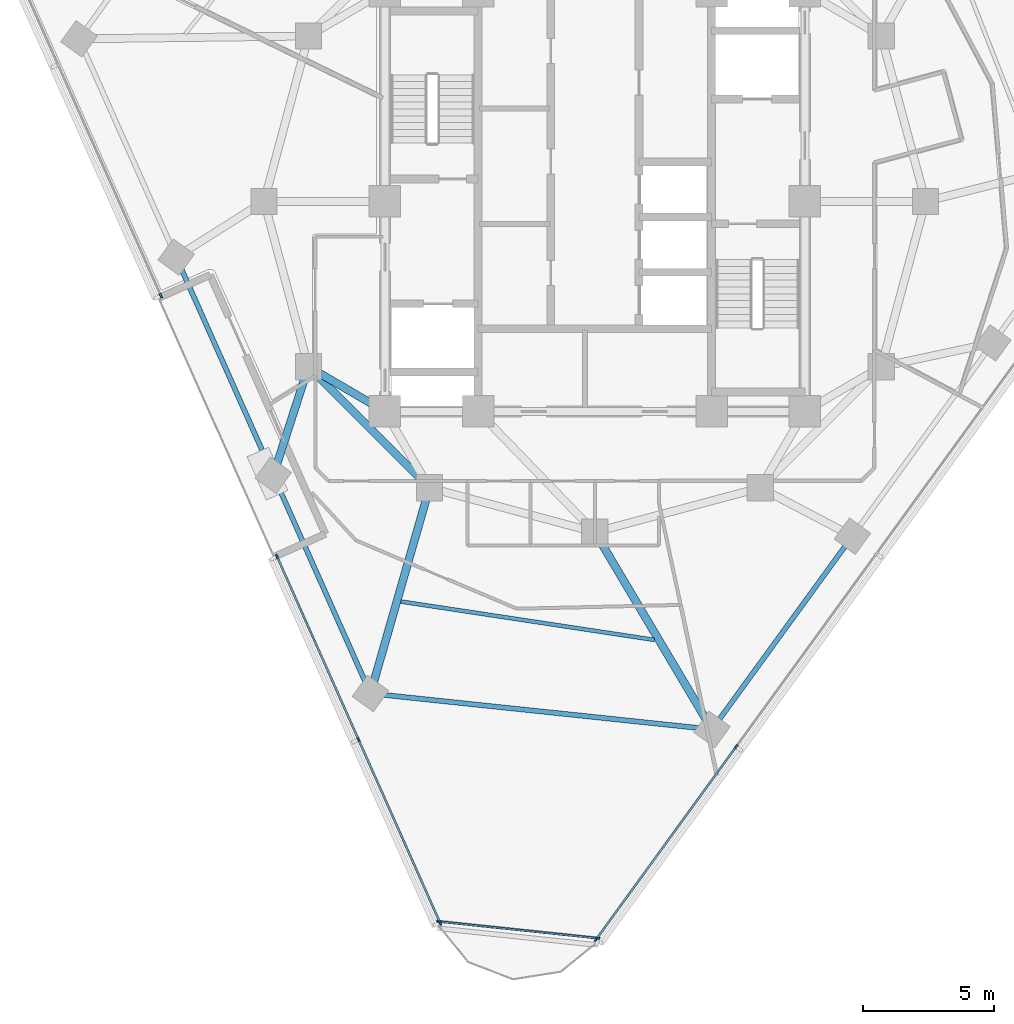
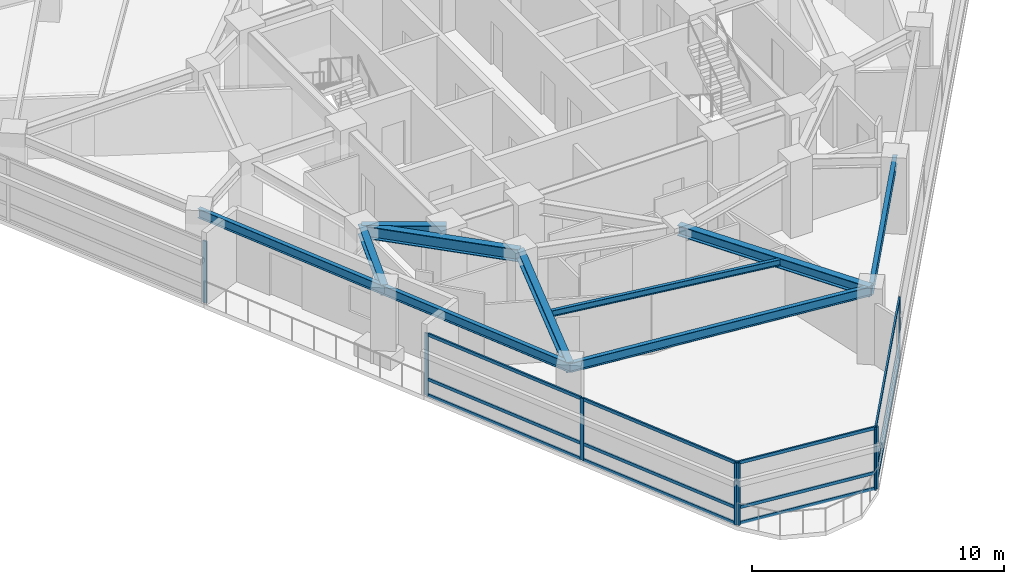
# One storey, part 2 of 14: 20 members, 10 beams, 4 elements without a shape of their own.
"""IFC4 building model written with IfcOpenShell, lengths in metres."""

from ifc_helpers import new_model, si_unit, direction, frame, origin, origin_2d, place, context, subcontext, project, spatial, rectangle, i_section, extrude, material, layer, layer_set, material_profile, profile_set, type_object, element, aggregate, save


model = new_model("IFC4")

# Units and contexts
model_context = context("Model", 3, precision=1e-05, world=origin(), true_north=direction((0.0, 1.0)))
body_context = subcontext(model_context, "Body", "Model", "MODEL_VIEW")
ifc_project = project(units=[si_unit("LENGTHUNIT", "METRE"), si_unit("AREAUNIT", "SQUARE_METRE"), si_unit("VOLUMEUNIT", "CUBIC_METRE"), si_unit("PLANEANGLEUNIT", "RADIAN"), si_unit("MASSUNIT", "GRAM", prefix="KILO")], contexts=[model_context])

# Site, building, storey
site_placement = place(None, origin())
site = spatial("IfcSite", under=ifc_project, at=site_placement, CompositionType="ELEMENT")
building_placement = place(site_placement, origin())
building = spatial("IfcBuilding", under=site, at=building_placement, Name="Terralouvre Media Tower", CompositionType="ELEMENT")
storey_placement = place(building_placement, frame((0.0, 0.0, 226.300048828125)))
storey = spatial("IfcBuildingStorey", under=building, at=storey_placement, Name="L58", CompositionType="ELEMENT", Elevation=226.300048828125)

# Beam
ifc_material_1 = material(Name="Structural steel S355J2", Category="steel")
ifc_material_profile_1 = material_profile(ifc_material_1, i_section(OverallWidth=0.14990234375, OverallDepth=0.300048828125, WebThickness=0.007080078125, FlangeThickness=0.0107421875, at=origin_2d()), Name="IPE 300")
ifc_profile_set_1 = profile_set([ifc_material_profile_1], Name="Structural steel S355J2")
beam_type_1 = type_object("IfcBeamType", Name="Composite Floor Joist J-IPE300 (IPE 300)", PredefinedType="JOIST", material=ifc_profile_set_1)
beam_1_placement = place(storey_placement, frame((-7.38818359375, -15.244140625, 3.349853515625), z_axis=(0.988745338641, -0.149608339726, 0.0), x_axis=(0.149608339726, 0.988745338641, 0.0)))
element("IfcBeam", 1, at=beam_1_placement, inside=storey, type_object=beam_type_1, Name="L58 Framing Beam JT-L58-01", PredefinedType="JOIST", context=body_context, shape_type="SweptSolid", body=[
    extrude(i_section(OverallWidth=0.14990234375, OverallDepth=0.300048828125, WebThickness=0.007080078125, FlangeThickness=0.0107421875, at=origin_2d()), origin(), (0.0, 0.0, 1.0), 9.763427734375),
])

# Curtain wall, members
ifc_material_2 = material(Name="Low-iron laminated double glazing with solar-control coating", Category="glass")
ifc_layer_1 = layer(ifc_material_2, 0.1650390625, Name="Upper Executive Tower Curtain Wall CW-05")
ifc_layer_set_1 = layer_set([ifc_layer_1], Name="Low-iron laminated double glazing with solar-control coating")
curtain_wall_type_1 = type_object("IfcCurtainWallType", Name="Upper Executive Tower Curtain Wall CW-05", PredefinedType="NOTDEFINED", material=ifc_layer_set_1)
curtain_wall_1_placement = place(storey_placement, origin())
curtain_wall_1 = element("IfcCurtainWall", 2, at=curtain_wall_1_placement, inside=storey, type_object=curtain_wall_type_1, Name="L58 Facade Curtain Wall F0", PredefinedType="NOTDEFINED")
ifc_material_3 = material(Name="Anodised extruded aluminium 6063-T6", Category="aluminium")
ifc_material_profile_2 = material_profile(ifc_material_3, rectangle(XDim=0.074951171875, YDim=0.14990234375, at=origin_2d()), Name="ALU 75x150")
ifc_profile_set_2 = profile_set([ifc_material_profile_2], Name="Anodised extruded aluminium 6063-T6")
member_type_1 = type_object("IfcMemberType", Name="Curtain-Wall Horizontal Transom TR-150", PredefinedType="USERDEFINED", material=ifc_profile_set_2)
member_1_placement = place(storey_placement, frame((0.072998046875, -28.0810546875, 0.037353515625), z_axis=(0.587774298355, 0.809024952763, 0.0), x_axis=(-0.809024952763, 0.587774298355, 0.0)))
member_1 = element("IfcMember", 3, at=member_1_placement, type_object=member_type_1, Name="CW-05 transom 1.1", ObjectType="TRANSOM", PredefinedType="USERDEFINED", context=body_context, shape_type="SweptSolid", body=[
    extrude(rectangle(XDim=0.074951171875, YDim=0.14990234375, at=origin_2d()), origin(), (0.0, 0.0, 1.0), 8.987548828125),
])
member_2_placement = place(storey_placement, frame((0.072998046875, -28.0810546875, 0.800048828125), z_axis=(0.587774298355, 0.809024952763, 0.0), x_axis=(-0.809024952763, 0.587774298355, 0.0)))
member_2 = element("IfcMember", 4, at=member_2_placement, type_object=member_type_1, Name="CW-05 transom 1.2", ObjectType="TRANSOM", PredefinedType="USERDEFINED", context=body_context, shape_type="SweptSolid", body=[
    extrude(rectangle(XDim=0.074951171875, YDim=0.14990234375, at=origin_2d()), origin(), (0.0, 0.0, 1.0), 8.987548828125),
])
member_3_placement = place(storey_placement, frame((0.072998046875, -28.0810546875, 2.96240234375), z_axis=(0.587774298355, 0.809024952763, 0.0), x_axis=(-0.809024952763, 0.587774298355, 0.0)))
member_3 = element("IfcMember", 5, at=member_3_placement, type_object=member_type_1, Name="CW-05 transom 1.3", ObjectType="TRANSOM", PredefinedType="USERDEFINED", context=body_context, shape_type="SweptSolid", body=[
    extrude(rectangle(XDim=0.074951171875, YDim=0.14990234375, at=origin_2d()), origin(), (0.0, 0.0, 1.0), 8.987548828125),
])

curtain_wall_2_placement = place(storey_placement, origin())
curtain_wall_2 = element("IfcCurtainWall", 6, at=curtain_wall_2_placement, inside=storey, type_object=curtain_wall_type_1, Name="L58 Right Flank Curtain Wall F2", PredefinedType="NOTDEFINED")
member_4_placement = place(storey_placement, frame((-12.09228515625, -13.566162109375, 0.037353515625), z_axis=(0.40673445167, -0.913546433316, 0.0), x_axis=(0.913546433316, 0.40673445167, 0.0)))
member_4 = element("IfcMember", 7, at=member_4_placement, type_object=member_type_1, Name="CW-05 transom 1.1", ObjectType="TRANSOM", PredefinedType="USERDEFINED", context=body_context, shape_type="SweptSolid", body=[
    extrude(rectangle(XDim=0.074951171875, YDim=0.14990234375, at=origin_2d()), origin(), (0.0, 0.0, 1.0), 7.5625),
])
member_5_placement = place(storey_placement, frame((-12.09228515625, -13.566162109375, 0.800048828125), z_axis=(0.40673445167, -0.913546433316, 0.0), x_axis=(0.913546433316, 0.40673445167, 0.0)))
member_5 = element("IfcMember", 8, at=member_5_placement, type_object=member_type_1, Name="CW-05 transom 1.2", ObjectType="TRANSOM", PredefinedType="USERDEFINED", context=body_context, shape_type="SweptSolid", body=[
    extrude(rectangle(XDim=0.074951171875, YDim=0.14990234375, at=origin_2d()), origin(), (0.0, 0.0, 1.0), 7.5625),
])
member_6_placement = place(storey_placement, frame((-12.09228515625, -13.566162109375, 2.96240234375), z_axis=(0.40673445167, -0.913546433316, 0.0), x_axis=(0.913546433316, 0.40673445167, 0.0)))
member_6 = element("IfcMember", 9, at=member_6_placement, type_object=member_type_1, Name="CW-05 transom 1.3", ObjectType="TRANSOM", PredefinedType="USERDEFINED", context=body_context, shape_type="SweptSolid", body=[
    extrude(rectangle(XDim=0.074951171875, YDim=0.14990234375, at=origin_2d()), origin(), (0.0, 0.0, 1.0), 7.5625),
])
member_7_placement = place(storey_placement, frame((-8.98583984375, -20.54345703125, 0.037353515625), z_axis=(0.40673445167, -0.913546433316, 0.0), x_axis=(0.913546433316, 0.40673445167, 0.0)))
member_7 = element("IfcMember", 10, at=member_7_placement, type_object=member_type_1, Name="CW-05 transom 2.1", ObjectType="TRANSOM", PredefinedType="USERDEFINED", context=body_context, shape_type="SweptSolid", body=[
    extrude(rectangle(XDim=0.074951171875, YDim=0.14990234375, at=origin_2d()), origin(), (0.0, 0.0, 1.0), 7.5625),
])
member_8_placement = place(storey_placement, frame((-8.98583984375, -20.54345703125, 0.800048828125), z_axis=(0.40673445167, -0.913546433316, 0.0), x_axis=(0.913546433316, 0.40673445167, 0.0)))
member_8 = element("IfcMember", 11, at=member_8_placement, type_object=member_type_1, Name="CW-05 transom 2.2", ObjectType="TRANSOM", PredefinedType="USERDEFINED", context=body_context, shape_type="SweptSolid", body=[
    extrude(rectangle(XDim=0.074951171875, YDim=0.14990234375, at=origin_2d()), origin(), (0.0, 0.0, 1.0), 7.5625),
])
member_9_placement = place(storey_placement, frame((-8.98583984375, -20.54345703125, 2.96240234375), z_axis=(0.40673445167, -0.913546433316, 0.0), x_axis=(0.913546433316, 0.40673445167, 0.0)))
member_9 = element("IfcMember", 12, at=member_9_placement, type_object=member_type_1, Name="CW-05 transom 2.3", ObjectType="TRANSOM", PredefinedType="USERDEFINED", context=body_context, shape_type="SweptSolid", body=[
    extrude(rectangle(XDim=0.074951171875, YDim=0.14990234375, at=origin_2d()), origin(), (0.0, 0.0, 1.0), 7.5625),
])

ifc_material_4 = material(Name="Low-iron laminated double glazing with solar-control coating", Category="glass")
ifc_layer_2 = layer(ifc_material_4, 0.1650390625, Name="Rounded Wind-Corner Curved Glazing CW-04")
ifc_layer_set_2 = layer_set([ifc_layer_2], Name="Low-iron laminated double glazing with solar-control coating")
curtain_wall_type_2 = type_object("IfcCurtainWallType", Name="Rounded Wind-Corner Curved Glazing CW-04", PredefinedType="NOTDEFINED", material=ifc_layer_set_2)
curtain_wall_3_placement = place(storey_placement, origin())
curtain_wall_3 = element("IfcCurtainWall", 13, at=curtain_wall_3_placement, inside=storey, type_object=curtain_wall_type_2, Name="L58 Rounded Wind-Corner Curtain Wall C0", PredefinedType="NOTDEFINED")
member_10_placement = place(storey_placement, frame((-5.899658203125, -27.43798828125, 0.037353515625), z_axis=(0.994519048003, -0.104555550594, 0.0), x_axis=(0.104555550594, 0.994519048003, 0.0)))
member_10 = element("IfcMember", 14, at=member_10_placement, type_object=member_type_1, Name="CW-04 transom 1.1", ObjectType="TRANSOM", PredefinedType="USERDEFINED", context=body_context, shape_type="SweptSolid", body=[
    extrude(rectangle(XDim=0.074951171875, YDim=0.14990234375, at=origin_2d()), origin(), (0.0, 0.0, 1.0), 5.998779296875),
])
member_11_placement = place(storey_placement, frame((-5.899658203125, -27.43798828125, 0.800048828125), z_axis=(0.994519048003, -0.104555550594, 0.0), x_axis=(0.104555550594, 0.994519048003, 0.0)))
member_11 = element("IfcMember", 15, at=member_11_placement, type_object=member_type_1, Name="CW-04 transom 1.2", ObjectType="TRANSOM", PredefinedType="USERDEFINED", context=body_context, shape_type="SweptSolid", body=[
    extrude(rectangle(XDim=0.074951171875, YDim=0.14990234375, at=origin_2d()), origin(), (0.0, 0.0, 1.0), 5.998779296875),
])
member_12_placement = place(storey_placement, frame((-5.899658203125, -27.43798828125, 2.96240234375), z_axis=(0.994519048003, -0.104555550594, 0.0), x_axis=(0.104555550594, 0.994519048003, 0.0)))
member_12 = element("IfcMember", 16, at=member_12_placement, type_object=member_type_1, Name="CW-04 transom 1.3", ObjectType="TRANSOM", PredefinedType="USERDEFINED", context=body_context, shape_type="SweptSolid", body=[
    extrude(rectangle(XDim=0.074951171875, YDim=0.14990234375, at=origin_2d()), origin(), (0.0, 0.0, 1.0), 5.998779296875),
])

# Member
ifc_material_5 = material(Name="Anodised extruded aluminium 6063-T6", Category="aluminium")
ifc_material_profile_3 = material_profile(ifc_material_5, rectangle(XDim=0.074951171875, YDim=0.179931640625, at=origin_2d()), Name="ALU 75x180")
ifc_profile_set_3 = profile_set([ifc_material_profile_3], Name="Anodised extruded aluminium 6063-T6")
member_type_2 = type_object("IfcMemberType", Name="Curtain-Wall Vertical Mullion ML-180", PredefinedType="MULLION", material=ifc_profile_set_3)
member_13_placement = place(storey_placement, frame((0.051025390625, -28.111328125, 0.0), z_axis=(0.0, 0.0, 1.0), x_axis=(-0.809016959074, 0.587785300879, 0.0)))
member_13 = element("IfcMember", 17, at=member_13_placement, type_object=member_type_2, Name="CW-05 mullion 1", PredefinedType="MULLION", context=body_context, shape_type="SweptSolid", body=[
    extrude(rectangle(XDim=0.074951171875, YDim=0.179931640625, at=origin_2d()), origin(), (0.0, 0.0, 1.0), 3.0),
])

member_14_placement = place(storey_placement, frame((5.3779296875, -20.779541015625, 0.0), z_axis=(0.0, 0.0, 1.0), x_axis=(-0.809016959074, 0.587785300879, 0.0)))
member_14 = element("IfcMember", 18, at=member_14_placement, type_object=member_type_2, Name="CW-05 mullion 2", PredefinedType="MULLION", context=body_context, shape_type="SweptSolid", body=[
    extrude(rectangle(XDim=0.074951171875, YDim=0.179931640625, at=origin_2d()), origin(), (0.0, 0.0, 1.0), 3.0),
])

aggregate(curtain_wall_1, [member_13, member_14, member_1, member_2, member_3])

# Curtain wall, member
curtain_wall_4_placement = place(storey_placement, origin())
curtain_wall_4 = element("IfcCurtainWall", 19, at=curtain_wall_4_placement, inside=storey, type_object=curtain_wall_type_1, Name="L58 Left Flank Curtain Wall F2", PredefinedType="NOTDEFINED")
member_15_placement = place(storey_placement, frame((-16.53076171875, -3.59716796875, 0.0), z_axis=(0.0, 0.0, 1.0), x_axis=(0.913545303888, 0.406736988415, 0.0)))
member_15 = element("IfcMember", 20, at=member_15_placement, type_object=member_type_2, Name="CW-05 mullion 3", PredefinedType="MULLION", context=body_context, shape_type="SweptSolid", body=[
    extrude(rectangle(XDim=0.074951171875, YDim=0.179931640625, at=origin_2d()), origin(), (0.0, 0.0, 1.0), 3.0),
])
aggregate(curtain_wall_4, [member_15])

# Member
member_16_placement = place(storey_placement, frame((-12.107421875, -13.531982421875, 0.0), z_axis=(0.0, 0.0, 1.0), x_axis=(0.913545824137, 0.406735819915, 0.0)))
member_16 = element("IfcMember", 21, at=member_16_placement, type_object=member_type_2, Name="CW-05 mullion 1", PredefinedType="MULLION", context=body_context, shape_type="SweptSolid", body=[
    extrude(rectangle(XDim=0.074951171875, YDim=0.179931640625, at=origin_2d()), origin(), (0.0, 0.0, 1.0), 3.0),
])

member_17_placement = place(storey_placement, frame((-9.0009765625, -20.50927734375, 0.0), z_axis=(0.0, 0.0, 1.0), x_axis=(0.913545824137, 0.406735819915, 0.0)))
member_17 = element("IfcMember", 22, at=member_17_placement, type_object=member_type_2, Name="CW-05 mullion 2", PredefinedType="MULLION", context=body_context, shape_type="SweptSolid", body=[
    extrude(rectangle(XDim=0.074951171875, YDim=0.179931640625, at=origin_2d()), origin(), (0.0, 0.0, 1.0), 3.0),
])

member_18_placement = place(storey_placement, frame((-5.89453125, -27.486328125, 0.0), z_axis=(0.0, 0.0, 1.0), x_axis=(0.913545824137, 0.406735819915, 0.0)))
member_18 = element("IfcMember", 23, at=member_18_placement, type_object=member_type_2, Name="CW-05 mullion 3", PredefinedType="MULLION", context=body_context, shape_type="SweptSolid", body=[
    extrude(rectangle(XDim=0.074951171875, YDim=0.179931640625, at=origin_2d()), origin(), (0.0, 0.0, 1.0), 3.0),
])

aggregate(curtain_wall_2, [member_16, member_17, member_18, member_4, member_5, member_6, member_7, member_8, member_9])

member_19_placement = place(storey_placement, frame((-5.93701171875, -27.43408203125, 0.0), z_axis=(0.0, 0.0, 1.0), x_axis=(0.104527995322, 0.994521944551, 0.0)))
member_19 = element("IfcMember", 24, at=member_19_placement, type_object=member_type_2, Name="CW-04 mullion 1", PredefinedType="MULLION", context=body_context, shape_type="SweptSolid", body=[
    extrude(rectangle(XDim=0.074951171875, YDim=0.179931640625, at=origin_2d()), origin(), (0.0, 0.0, 1.0), 3.0),
])

member_20_placement = place(storey_placement, frame((0.103515625, -28.069091796875, 0.0), z_axis=(0.0, 0.0, 1.0), x_axis=(0.104527995322, 0.994521944551, 0.0)))
member_20 = element("IfcMember", 25, at=member_20_placement, type_object=member_type_2, Name="CW-04 mullion 2", PredefinedType="MULLION", context=body_context, shape_type="SweptSolid", body=[
    extrude(rectangle(XDim=0.074951171875, YDim=0.179931640625, at=origin_2d()), origin(), (0.0, 0.0, 1.0), 3.0),
])

aggregate(curtain_wall_3, [member_19, member_20, member_10, member_11, member_12])

# Beams
ifc_material_6 = material(Name="Structural steel S355J2", Category="steel")
ifc_material_profile_4 = material_profile(ifc_material_6, i_section(OverallWidth=0.18994140625, OverallDepth=0.449951171875, WebThickness=0.009521484375, FlangeThickness=0.0146484375, at=origin_2d()), Name="IPE 450")
ifc_profile_set_4 = profile_set([ifc_material_profile_4], Name="Structural steel S355J2")
beam_type_2 = type_object("IfcBeamType", Name="Perimeter Spandrel Beam SPB-450 (IPE 450)", PredefinedType="SPANDREL", material=ifc_profile_set_4)
beam_2_placement = place(storey_placement, frame((-15.950927734375, -2.121337890625, 3.27490234375), z_axis=(0.406725851667, -0.913550262211, 0.0), x_axis=(0.913550262211, 0.406725851667, 0.0)))
element("IfcBeam", 26, at=beam_2_placement, inside=storey, type_object=beam_type_2, Name="L58 Framing Beam BM-L58-PR01", PredefinedType="SPANDREL", context=body_context, shape_type="SweptSolid", body=[
    extrude(i_section(OverallWidth=0.18994140625, OverallDepth=0.449951171875, WebThickness=0.009521484375, FlangeThickness=0.0146484375, at=origin_2d()), origin(), (0.0, 0.0, 1.0), 9.099853515625),
])
beam_3_placement = place(storey_placement, frame((-12.249755859375, -10.4345703125, 3.27490234375), z_axis=(0.40674824199, -0.913540293385, 0.0), x_axis=(0.913540293385, 0.40674824199, 0.0)))
element("IfcBeam", 27, at=beam_3_placement, inside=storey, type_object=beam_type_2, Name="L58 Framing Beam BM-L58-PR02", PredefinedType="SPANDREL", context=body_context, shape_type="SweptSolid", body=[
    extrude(i_section(OverallWidth=0.18994140625, OverallDepth=0.449951171875, WebThickness=0.009521484375, FlangeThickness=0.0146484375, at=origin_2d()), origin(), (0.0, 0.0, 1.0), 9.10009765625),
])
beam_4_placement = place(storey_placement, frame((-8.54833984375, -18.747802734375, 3.27490234375), z_axis=(0.994521391833, -0.104533253974, 0.0), x_axis=(0.104533253974, 0.994521391833, 0.0)))
element("IfcBeam", 28, at=beam_4_placement, inside=storey, type_object=beam_type_2, Name="L58 Framing Beam BM-L58-PR03", PredefinedType="SPANDREL", context=body_context, shape_type="SweptSolid", body=[
    extrude(i_section(OverallWidth=0.18994140625, OverallDepth=0.449951171875, WebThickness=0.009521484375, FlangeThickness=0.0146484375, at=origin_2d()), origin(), (0.0, 0.0, 1.0), 13.083740234375),
])
beam_5_placement = place(storey_placement, frame((4.463623046875, -20.115478515625, 3.27490234375), z_axis=(0.587787185033, 0.809015590153, 0.0), x_axis=(-0.809015590153, 0.587787185033, 0.0)))
element("IfcBeam", 29, at=beam_5_placement, inside=storey, type_object=beam_type_2, Name="L58 Framing Beam BM-L58-PR04", PredefinedType="SPANDREL", context=body_context, shape_type="SweptSolid", body=[
    extrude(i_section(OverallWidth=0.18994140625, OverallDepth=0.449951171875, WebThickness=0.009521484375, FlangeThickness=0.0146484375, at=origin_2d()), origin(), (0.0, 0.0, 1.0), 9.10009765625),
])
ifc_material_7 = material(Name="Structural steel S355J2", Category="steel")
ifc_material_profile_5 = material_profile(ifc_material_7, i_section(OverallWidth=0.300048828125, OverallDepth=0.5, WebThickness=0.014404296875, FlangeThickness=0.028076171875, at=origin_2d()), Name="HEB 500")
ifc_profile_set_5 = profile_set([ifc_material_profile_5], Name="Structural steel S355J2")
beam_type_3 = type_object("IfcBeamType", Name="Primary Floor Girder B-HEB500 (HEB 500)", PredefinedType="BEAM", material=ifc_profile_set_5)
beam_6_placement = place(storey_placement, frame((-10.911865234375, -6.300048828125, 3.25), z_axis=(-0.307872638555, -0.951427579183, 0.0), x_axis=(0.951427579183, -0.307872638555, 0.0)))
element("IfcBeam", 30, at=beam_6_placement, inside=storey, type_object=beam_type_3, Name="L58 Framing Beam BM-L58-RD02", PredefinedType="BEAM", context=body_context, shape_type="SweptSolid", body=[
    extrude(i_section(OverallWidth=0.300048828125, OverallDepth=0.5, WebThickness=0.014404296875, FlangeThickness=0.028076171875, at=origin_2d()), origin(), (0.0, 0.0, 1.0), 4.345703125),
])
beam_7_placement = place(storey_placement, frame((-6.300048828125, -10.911865234375, 3.25), z_axis=(-0.275792876342, -0.96121708753, 0.0), x_axis=(0.96121708753, -0.275792876342, 0.0)))
element("IfcBeam", 31, at=beam_7_placement, inside=storey, type_object=beam_type_3, Name="L58 Framing Beam BM-L58-RD03", PredefinedType="BEAM", context=body_context, shape_type="SweptSolid", body=[
    extrude(i_section(OverallWidth=0.300048828125, OverallDepth=0.5, WebThickness=0.014404296875, FlangeThickness=0.028076171875, at=origin_2d()), origin(), (0.0, 0.0, 1.0), 8.152099609375),
])
beam_8_placement = place(storey_placement, frame((0.0, -12.60009765625, 3.25), z_axis=(0.510654263047, -0.859786149942, 0.0), x_axis=(0.859786149942, 0.510654263047, 0.0)))
element("IfcBeam", 32, at=beam_8_placement, inside=storey, type_object=beam_type_3, Name="L58 Framing Beam BM-L58-RD04", PredefinedType="BEAM", context=body_context, shape_type="SweptSolid", body=[
    extrude(i_section(OverallWidth=0.300048828125, OverallDepth=0.5, WebThickness=0.014404296875, FlangeThickness=0.028076171875, at=origin_2d()), origin(), (0.0, 0.0, 1.0), 8.740966796875),
])
ifc_material_8 = material(Name="Structural steel S460M", Category="steel")
ifc_material_profile_6 = material_profile(ifc_material_8, i_section(OverallWidth=0.300048828125, OverallDepth=0.60009765625, WebThickness=0.015380859375, FlangeThickness=0.030029296875, at=origin_2d()), Name="HEB 600")
ifc_profile_set_6 = profile_set([ifc_material_profile_6], Name="Structural steel S460M")
beam_type_4 = type_object("IfcBeamType", Name="Primary Floor Girder B-HEB600 (HEB 600)", PredefinedType="BEAM", material=ifc_profile_set_6)
beam_9_placement = place(storey_placement, frame((-10.911865234375, -6.300048828125, 3.199951171875), z_axis=(0.707106781187, -0.707106781187, 0.0), x_axis=(0.707106781187, 0.707106781187, 0.0)))
element("IfcBeam", 33, at=beam_9_placement, inside=storey, type_object=beam_type_4, Name="L58 Framing Beam BM-L58-MR01", PredefinedType="BEAM", context=body_context, shape_type="SweptSolid", body=[
    extrude(i_section(OverallWidth=0.300048828125, OverallDepth=0.60009765625, WebThickness=0.015380859375, FlangeThickness=0.030029296875, at=origin_2d()), origin(), (0.0, 0.0, 1.0), 6.52197265625),
])
beam_10_placement = place(storey_placement, frame((-8.0, -8.0, 3.199951171875), z_axis=(-0.863602894532, 0.504172629717, 0.0), x_axis=(-0.504172629717, -0.863602894532, 0.0)))
element("IfcBeam", 34, at=beam_10_placement, inside=storey, type_object=beam_type_4, Name="L58 Framing Beam BM-L58-CM01", PredefinedType="BEAM", context=body_context, shape_type="SweptSolid", body=[
    extrude(i_section(OverallWidth=0.300048828125, OverallDepth=0.60009765625, WebThickness=0.015380859375, FlangeThickness=0.030029296875, at=origin_2d()), origin(), (0.0, 0.0, 1.0), 3.371826171875),
])

save(model, "model.ifc")
